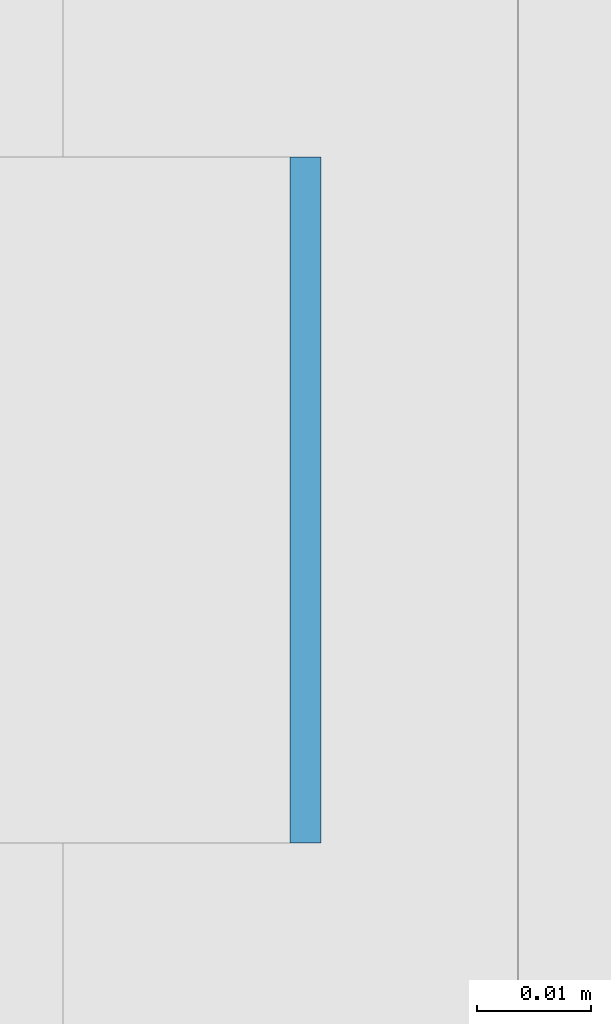
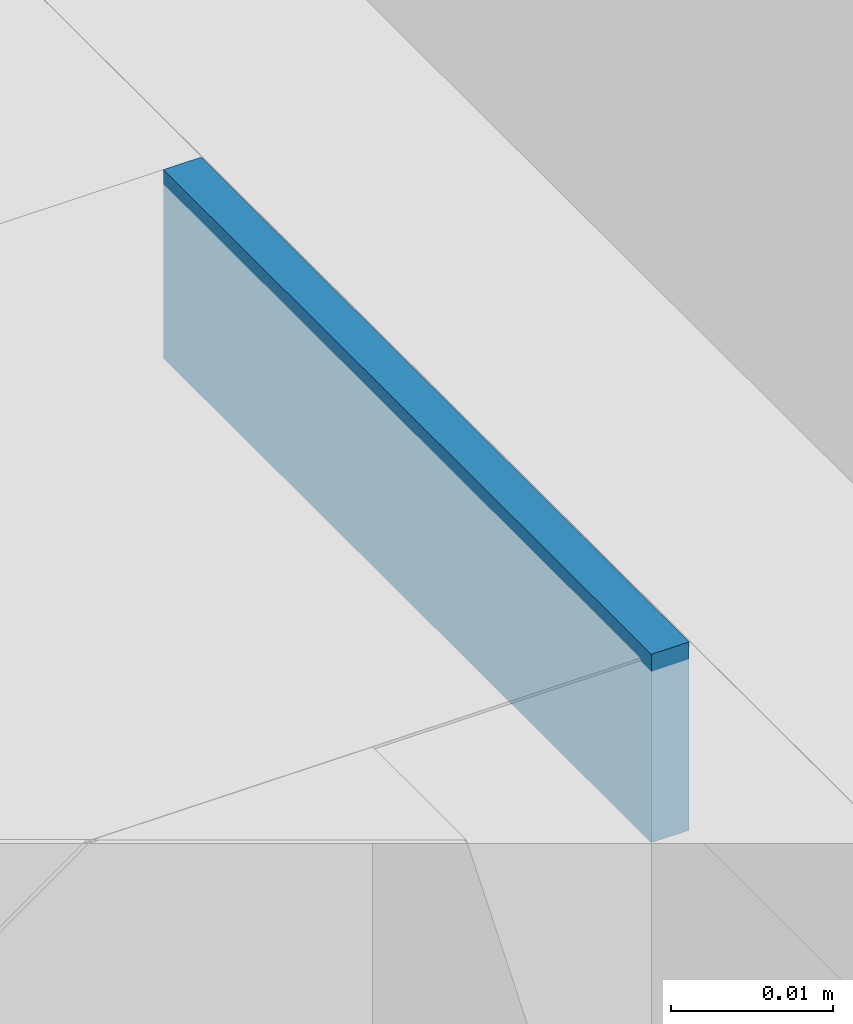
# One storey, part 339 of 646: 1 discrete accessory.
"""IFC4 building model written with IfcOpenShell, lengths in metres."""

from ifc_helpers import new_model, si_unit, direction, frame, origin, origin_2d, place, context, subcontext, project, spatial, rectangle, extrude, material, type_object, element, save


model = new_model("IFC4")

# Units and contexts
model_context = context("Model", 3, precision=1e-05, world=origin(), true_north=direction((0.0, 1.0)))
body_context = subcontext(model_context, "Body", "Model", "MODEL_VIEW")
ifc_project = project(units=[si_unit("LENGTHUNIT", "METRE"), si_unit("AREAUNIT", "SQUARE_METRE"), si_unit("VOLUMEUNIT", "CUBIC_METRE"), si_unit("PLANEANGLEUNIT", "RADIAN"), si_unit("MASSUNIT", "GRAM", prefix="KILO")], contexts=[model_context])

# Site, building, storey
site_placement = place(None, origin())
site = spatial("IfcSite", under=ifc_project, at=site_placement, CompositionType="ELEMENT")
building_placement = place(site_placement, origin())
building = spatial("IfcBuilding", under=site, at=building_placement, Name="Silverbay Arena", CompositionType="ELEMENT")
storey_placement = place(building_placement, frame((0.0, 0.0, 33.5)))
storey = spatial("IfcBuildingStorey", under=building, at=storey_placement, Name="L05", CompositionType="ELEMENT", Elevation=33.5)

# Discrete accessory
ifc_material = material(Name="Steel S355", Category="steel")
discrete_accessory_type = type_object("IfcDiscreteAccessoryType", Name="Steel bracket plate", PredefinedType="BRACKET", material=ifc_material)
discrete_accessory_placement = place(storey_placement, frame((53.871337890625, 84.857177734375, 12.98583984375), z_axis=(0.0, 0.0, 1.0), x_axis=(1.0, 0.0, 0.0)))
element("IfcDiscreteAccessory", 1, at=discrete_accessory_placement, inside=storey, type_object=discrete_accessory_type, Name="Curtain wall packing plate", PredefinedType="BRACKET", context=body_context, shape_type="SweptSolid", body=[
    extrude(rectangle(XDim=0.002685546875, YDim=0.06005859375, at=origin_2d()), origin(), (0.0, 0.0, 1.0), 0.01416015625),
])

save(model, "model.ifc")
